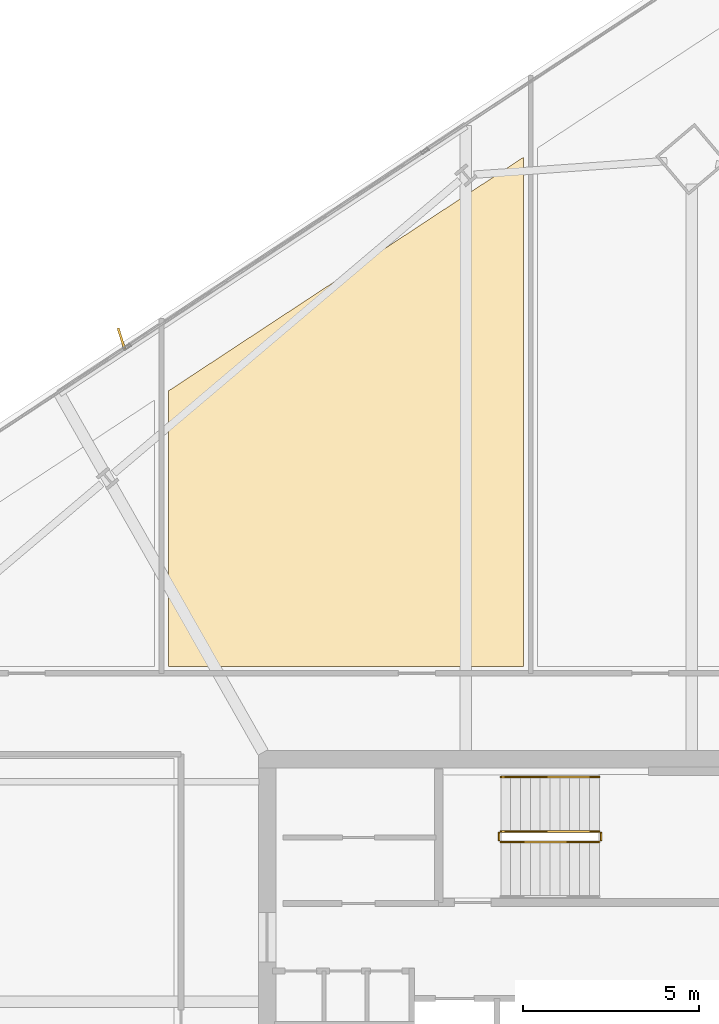
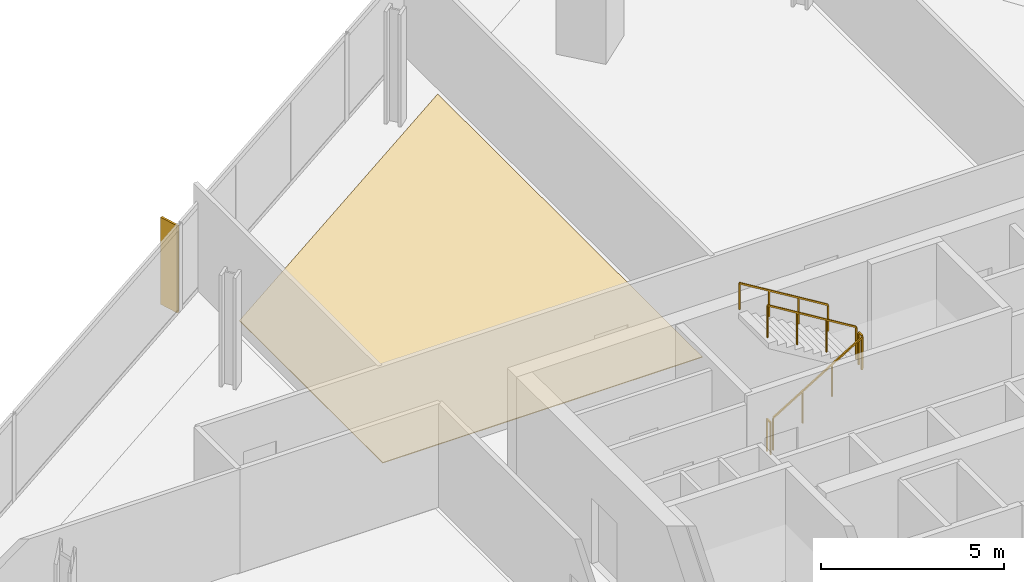
# One storey, part 28 of 29: 5 railings, 1 covering, 1 shading device.
"""IFC4 building model written with IfcOpenShell, lengths in metres."""

from ifc_helpers import new_model, si_unit, direction, frame, origin, origin_2d, place, context, subcontext, project, spatial, polyline, rectangle, outline, extrude, source, transform, mapped, material, layer, layer_set, type_object, element, save


model = new_model("IFC4")

# Units and contexts
model_context = context("Model", 3, precision=1e-05, world=origin(), true_north=direction((0.0, 1.0)))
body_context = subcontext(model_context, "Body", "Model", "MODEL_VIEW")
ifc_project = project(units=[si_unit("LENGTHUNIT", "METRE"), si_unit("AREAUNIT", "SQUARE_METRE"), si_unit("VOLUMEUNIT", "CUBIC_METRE"), si_unit("PLANEANGLEUNIT", "RADIAN"), si_unit("MASSUNIT", "GRAM", prefix="KILO")], contexts=[model_context])

# Site, building, storey
site_placement = place(None, origin())
site = spatial("IfcSite", under=ifc_project, at=site_placement, CompositionType="ELEMENT")
building_placement = place(site_placement, origin())
building = spatial("IfcBuilding", under=site, at=building_placement, Name="Haldenkirk Collegiate Tower", CompositionType="ELEMENT")
storey_placement = place(building_placement, frame((0.0, 0.0, 140.699951171875)))
storey = spatial("IfcBuildingStorey", under=building, at=storey_placement, Name="L34", CompositionType="ELEMENT", Elevation=140.699951171875)

# Covering
ifc_material_1 = material(Name="Polished collegiate terrazzo", Category="concrete")
ifc_layer_1 = layer(ifc_material_1, 0.02490234375)
ifc_layer_set_1 = layer_set([ifc_layer_1], Name="Polished collegiate terrazzo")
covering_type = type_object("IfcCoveringType", Name="COV-FLOOR-TERRAZZO", PredefinedType="FLOORING", material=ifc_layer_set_1)
covering_placement = place(storey_placement, origin())
element("IfcCovering", 1, at=covering_placement, inside=storey, type_object=covering_type, Name="L34 academic room finish 04", PredefinedType="FLOORING", context=body_context, shape_type="SweptSolid", body=[
    extrude(outline(polyline([(34.300048828125, 51.13427734375), (34.300048828125, 36.64990234375), (24.199951171875, 36.64990234375), (24.199951171875, 44.4873046875), (34.300048828125, 51.13427734375)])), origin(), (0.0, 0.0, 1.0), 0.025146484375),
])

# Railings
ifc_material_2 = material(Name="Painted architectural tubular steel", Category="steel")
railing_type_1 = type_object("IfcRailingType", Name="RLG-STAIR-GUARD-1100", PredefinedType="BALUSTRADE", material=ifc_material_2)
railing_1_placement = place(storey_placement, frame((33.64990234375, 31.64990234375, 0.17041015625)))
element("IfcRailing", 2, at=railing_1_placement, inside=storey, type_object=railing_type_1, Name="L34 ST-3 stair guard 1", PredefinedType="BALUSTRADE", context=body_context, shape_type="SweptSolid", body=[
    extrude(rectangle(XDim=0.048095703125, YDim=0.048095703125, at=origin_2d()), frame((0.0, 0.0, 1.076171875), z_axis=(0.854169791009, 0.0, 0.51999420009), x_axis=(0.0, 1.0, 0.0)), (0.0, 0.0, 1.0), 3.278076171875),
    extrude(rectangle(XDim=0.0419921875, YDim=0.0419921875, at=origin_2d()), origin(), (0.0, 0.0, 1.0), 1.052001953125),
    extrude(rectangle(XDim=0.0419921875, YDim=0.0419921875, at=origin_2d()), frame((0.933349609375, 0.0, 0.568115234375)), (0.0, 0.0, 1.0), 1.052001953125),
    extrude(rectangle(XDim=0.0419921875, YDim=0.0419921875, at=origin_2d()), frame((1.86669921875, 0.0, 1.136474609375)), (0.0, 0.0, 1.0), 1.052001953125),
    extrude(rectangle(XDim=0.0419921875, YDim=0.0419921875, at=origin_2d()), frame((2.800048828125, 0.0, 1.70458984375)), (0.0, 0.0, 1.0), 1.052001953125),
])
railing_2_placement = place(storey_placement, frame((36.5, 31.699951171875, 1.875)))
element("IfcRailing", 3, at=railing_2_placement, inside=storey, type_object=railing_type_1, Name="L34 ST-3 stair guard 2", PredefinedType="BALUSTRADE", context=body_context, shape_type="SweptSolid", body=[
    extrude(rectangle(XDim=0.048095703125, YDim=0.048095703125, at=origin_2d()), frame((0.0, 0.0, 1.076171875), z_axis=(0.0, 1.0, 0.0), x_axis=(-1.0, 0.0, 0.0)), (0.0, 0.0, 1.0), 0.199951171875),
    extrude(rectangle(XDim=0.0419921875, YDim=0.0419921875, at=origin_2d()), origin(), (0.0, 0.0, 1.0), 1.052001953125),
    extrude(rectangle(XDim=0.0419921875, YDim=0.0419921875, at=origin_2d()), frame((0.0, 0.199951171875, 0.0)), (0.0, 0.0, 1.0), 1.052001953125),
])
railing_3_placement = place(storey_placement, frame((36.449951171875, 31.949951171875, 2.04541015625)))
element("IfcRailing", 4, at=railing_3_placement, inside=storey, type_object=railing_type_1, Name="L34 ST-3 stair guard 3", PredefinedType="BALUSTRADE", context=body_context, shape_type="SweptSolid", body=[
    extrude(rectangle(XDim=0.048095703125, YDim=0.048095703125, at=origin_2d()), frame((0.0, 0.0, 1.076171875), z_axis=(-0.854169791009, 0.0, 0.51999420009), x_axis=(0.0, -1.0, 0.0)), (0.0, 0.0, 1.0), 3.278076171875),
    extrude(rectangle(XDim=0.0419921875, YDim=0.0419921875, at=origin_2d()), origin(), (0.0, 0.0, 1.0), 1.052001953125),
    extrude(rectangle(XDim=0.0419921875, YDim=0.0419921875, at=origin_2d()), frame((-0.933349609375, 0.0, 0.568115234375)), (0.0, 0.0, 1.0), 1.052001953125),
    extrude(rectangle(XDim=0.0419921875, YDim=0.0419921875, at=origin_2d()), frame((-1.86669921875, 0.0, 1.136474609375)), (0.0, 0.0, 1.0), 1.052001953125),
    extrude(rectangle(XDim=0.0419921875, YDim=0.0419921875, at=origin_2d()), frame((-2.800048828125, 0.0, 1.70458984375)), (0.0, 0.0, 1.0), 1.052001953125),
])
railing_4_placement = place(storey_placement, frame((33.60009765625, 31.699951171875, 0.0)))
element("IfcRailing", 5, at=railing_4_placement, inside=storey, type_object=railing_type_1, Name="L34 ST-3 stair guard 4", PredefinedType="BALUSTRADE", context=body_context, shape_type="SweptSolid", body=[
    extrude(rectangle(XDim=0.048095703125, YDim=0.048095703125, at=origin_2d()), frame((0.0, 0.0, 1.076171875), z_axis=(0.0, 1.0, 0.0), x_axis=(-1.0, 0.0, 0.0)), (0.0, 0.0, 1.0), 0.199951171875),
    extrude(rectangle(XDim=0.0419921875, YDim=0.0419921875, at=origin_2d()), origin(), (0.0, 0.0, 1.0), 1.052001953125),
    extrude(rectangle(XDim=0.0419921875, YDim=0.0419921875, at=origin_2d()), frame((0.0, 0.199951171875, 0.0)), (0.0, 0.0, 1.0), 1.052001953125),
])
railing_type_2 = type_object("IfcRailingType", Name="RLG-STAIR-HANDRAIL-900", PredefinedType="HANDRAIL", material=ifc_material_2)
railing_5_placement = place(storey_placement, frame((36.449951171875, 33.5, 2.04541015625)))
element("IfcRailing", 6, at=railing_5_placement, inside=storey, type_object=railing_type_2, Name="L34 ST-3 stair handrail 2", PredefinedType="HANDRAIL", context=body_context, shape_type="SweptSolid", body=[
    extrude(rectangle(XDim=0.048095703125, YDim=0.048095703125, at=origin_2d()), frame((0.0, 0.0, 0.8759765625), z_axis=(-0.854169791009, 0.0, 0.51999420009), x_axis=(0.0, -1.0, 0.0)), (0.0, 0.0, 1.0), 3.278076171875),
    extrude(rectangle(XDim=0.0419921875, YDim=0.0419921875, at=origin_2d()), origin(), (0.0, 0.0, 1.0), 0.851806640625),
    extrude(rectangle(XDim=0.0419921875, YDim=0.0419921875, at=origin_2d()), frame((-0.933349609375, 0.0, 0.568115234375)), (0.0, 0.0, 1.0), 0.851806640625),
    extrude(rectangle(XDim=0.0419921875, YDim=0.0419921875, at=origin_2d()), frame((-1.86669921875, 0.0, 1.136474609375)), (0.0, 0.0, 1.0), 0.851806640625),
    extrude(rectangle(XDim=0.0419921875, YDim=0.0419921875, at=origin_2d()), frame((-2.800048828125, 0.0, 1.70458984375)), (0.0, 0.0, 1.0), 0.851806640625),
])

# Shading device
ifc_material_3 = material(Name="Anodised architectural bronze aluminium", Category="aluminium")
ifc_layer_2 = layer(ifc_material_3, 0.06494140625)
ifc_layer_set_2 = layer_set([ifc_layer_2], Name="Anodised architectural bronze aluminium")
shading_device_type = type_object("IfcShadingDeviceType", Name="SHD-FIN-BRONZE-620", PredefinedType="USERDEFINED", material=ifc_layer_set_2)
shared_shape = source(origin(), body_context, "Body", "SweptSolid", [
    extrude(rectangle(XDim=0.6201171875, YDim=0.06494140625, at=origin_2d()), origin(), (0.0, 0.0, 1.0), 2.910888671875),
])
shading_device_placement = place(storey_placement, frame((22.852783203125, 45.976806640625, 0.0), z_axis=(0.0, 0.0, 1.0), x_axis=(-0.298207946716, 0.954500927457, 0.0)))
element("IfcShadingDevice", 7, at=shading_device_placement, inside=storey, type_object=shading_device_type, Name="L34 folded bronze solar fin 1", ObjectType="FIN", PredefinedType="USERDEFINED", context=body_context, shape_type="MappedRepresentation", body=[
    mapped(shared_shape, transform((0.0, 0.0, 0.0), x_axis=(1.0, 0.0, 0.0), y_axis=(0.0, 1.0, 0.0), z_axis=(0.0, 0.0, 1.0), scale=1.0)),
])

save(model, "model.ifc")
